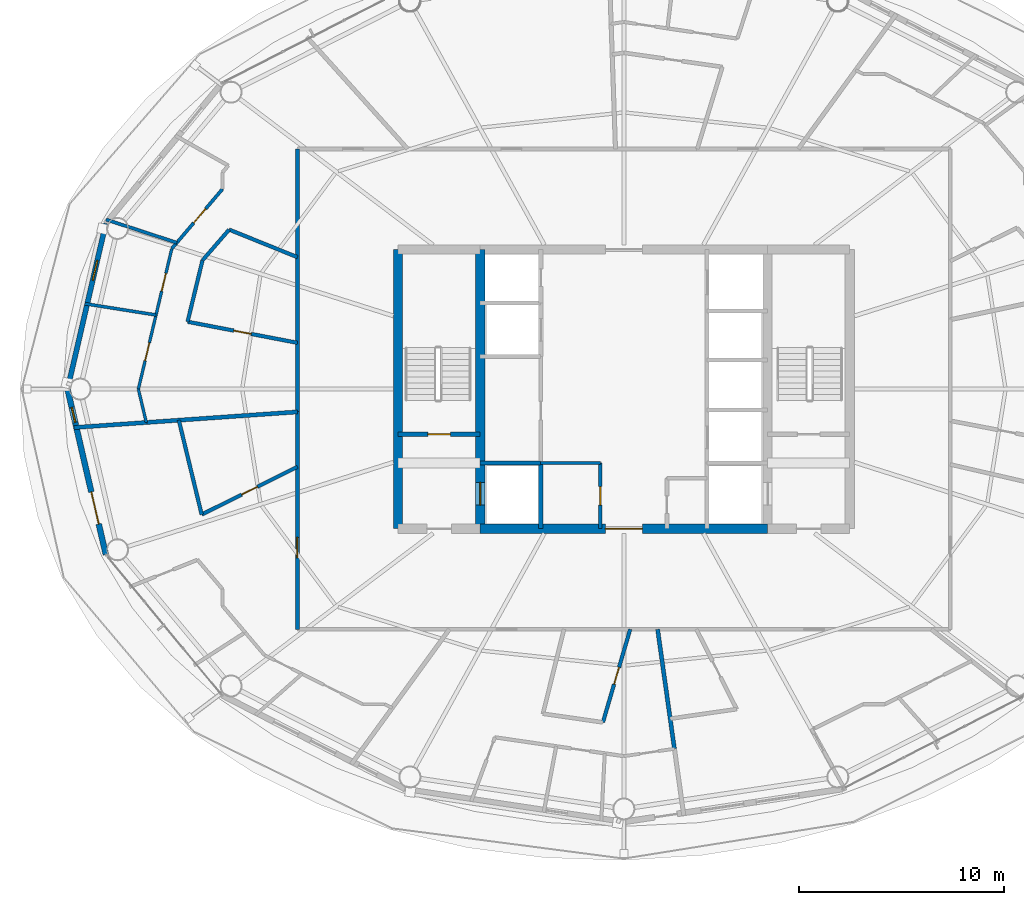
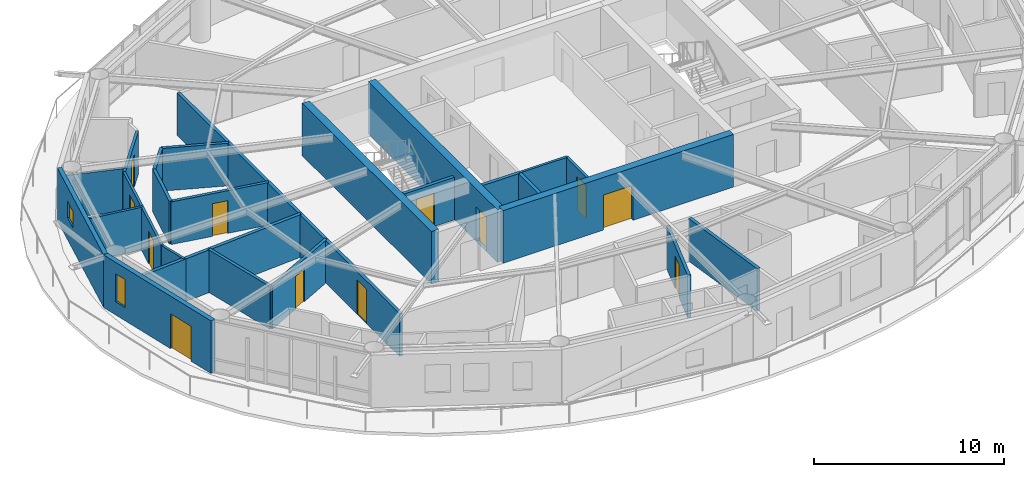
# One storey, part 21 of 30: 27 walls, 12 doors, 2 windows, 14 openings.
"""IFC4 building model written with IfcOpenShell, lengths in metres."""

import ifcopenshell
import ifcopenshell.guid

model = None  # the IFC model being written
_history = None  # IfcOwnerHistory: only IFC2X3 demands one
_inside = {}  # id of a spatial element -> (the spatial element, [elements in it])
_under = {}  # id of a project, library or spatial element -> (it, [spatial elements below it])
_declared = {}  # id of a project -> (the project, [libraries it declares])
_typed = {}  # id of a type object -> (the type object, [elements of that type])
_made_of = {}  # id of a material, layer set ... -> (it, [elements and type objects made of it])


def new_model(schema):
    """Start an empty IFC model of exactly this schema.

    Asked for "IFC4X3", IfcOpenShell would pick the latest addendum, in which some entities
    have other attributes; the version numbers below select the first issue.
    IFC2X3 requires an IfcOwnerHistory on every rooted entity: one is made here for all.
    """
    global model, _history
    if schema == "IFC4X3":
        model = ifcopenshell.file(schema_version=(4, 3, 0, 0))
    else:
        model = ifcopenshell.file(schema=schema)
    _inside.clear()
    _under.clear()
    _declared.clear()
    _typed.clear()
    _made_of.clear()
    _history = None
    if model.schema == "IFC2X3":
        org = make("IfcOrganization", Name="unknown")
        user = make(
            "IfcPersonAndOrganization",
            ThePerson=make("IfcPerson", FamilyName="unknown"),
            TheOrganization=org,
        )
        app = make(
            "IfcApplication",
            ApplicationDeveloper=org,
            Version="unknown",
            ApplicationFullName="unknown",
            ApplicationIdentifier="unknown",
        )
        _history = make(
            "IfcOwnerHistory",
            OwningUser=user,
            OwningApplication=app,
            ChangeAction="ADDED",
            CreationDate=0,
        )
    return model


def make(cls, **values):
    """One entity of the class cls with the attributes given. An attribute that is None is left unset."""
    return model.create_entity(
        cls, **{name: value for name, value in values.items() if value is not None}
    )


def rooted(cls, **values):
    """An entity with a GlobalId (a new one), such as an element, a storey or a relation."""
    return make(cls, GlobalId=ifcopenshell.guid.new(), OwnerHistory=_history, **values)


def si_unit(unit_type, name, prefix=None):
    """IfcSIUnit, for example si_unit("LENGTHUNIT", "METRE", prefix="MILLI")."""
    return make("IfcSIUnit", UnitType=unit_type, Prefix=prefix, Name=name)


def assignment(units):
    """IfcUnitAssignment: the units of a project."""
    return None if units is None else make("IfcUnitAssignment", Units=units)


def point(xyz):
    """IfcCartesianPoint."""
    return None if xyz is None else make("IfcCartesianPoint", Coordinates=xyz)


def direction(xyz):
    """IfcDirection."""
    return None if xyz is None else make("IfcDirection", DirectionRatios=xyz)


def frame(location, z_axis=None, x_axis=None):
    """IfcAxis2Placement3D, a coordinate frame: its origin and axes. An axis left out is left unset."""
    return make(
        "IfcAxis2Placement3D",
        Location=point(location),
        Axis=direction(z_axis),
        RefDirection=direction(x_axis),
    )


def frame_2d(location, x_axis=None):
    """IfcAxis2Placement2D, a coordinate frame in the plane: its origin and x axis."""
    return make(
        "IfcAxis2Placement2D", Location=point(location), RefDirection=direction(x_axis)
    )


def origin():
    """The frame at (0, 0, 0) with its axes left unset."""
    return frame((0.0, 0.0, 0.0))


def place(relative_to, where):
    """IfcLocalPlacement: puts the frame where relative to a parent placement (None: the world)."""
    return make(
        "IfcLocalPlacement", PlacementRelTo=relative_to, RelativePlacement=where
    )


def context(
    kind, dimensions, precision=None, world=None, true_north=None, identifier=None
):
    """IfcGeometricRepresentationContext, for example the 3D "Model" context."""
    return make(
        "IfcGeometricRepresentationContext",
        ContextIdentifier=identifier,
        ContextType=kind,
        CoordinateSpaceDimension=dimensions,
        Precision=precision,
        WorldCoordinateSystem=world,
        TrueNorth=true_north,
    )


def subcontext(parent, identifier, kind, view, scale=None):
    """IfcGeometricRepresentationSubContext, for example "Body" below "Model"."""
    return make(
        "IfcGeometricRepresentationSubContext",
        ContextIdentifier=identifier,
        ContextType=kind,
        ParentContext=parent,
        TargetScale=scale,
        TargetView=view,
    )


def project(units=None, contexts=None):
    """IfcProject with its units and contexts."""
    return rooted(
        "IfcProject",
        Name="project",
        RepresentationContexts=contexts,
        UnitsInContext=assignment(units),
    )


def spatial(cls, under=None, at=None, **own):
    """A site, building, storey or space (cls), placed at a placement, below another one or the project."""
    s = rooted(cls, ObjectPlacement=at, **own)
    if under is not None:
        _under.setdefault(under.id(), (under, []))[1].append(s)
    return s


def profile(cls, at=None, kind="AREA", **sizes):
    """A parametric profile (cls). Its sizes go by their IFC names, for example OverallWidth=200.0."""
    return make(cls, ProfileType=kind, Position=at, **sizes)


def rectangle(**sizes):
    """IfcRectangleProfileDef."""
    return profile("IfcRectangleProfileDef", **sizes)


def extrude(swept, where, along, depth):
    """IfcExtrudedAreaSolid: the profile swept, set in the frame where, extruded along a direction by depth."""
    return make(
        "IfcExtrudedAreaSolid",
        SweptArea=swept,
        Position=where,
        ExtrudedDirection=direction(along),
        Depth=depth,
    )


def shape(context_of_items, identifier, shape_type, items):
    """IfcShapeRepresentation: the items that make up one representation, for example the "Body"."""
    return make(
        "IfcShapeRepresentation",
        ContextOfItems=context_of_items,
        RepresentationIdentifier=identifier,
        RepresentationType=shape_type,
        Items=items,
    )


def material(Name=None, Category=None):
    """IfcMaterial."""
    return make("IfcMaterial", Name=Name, Category=Category)


def layer(
    of_material, thickness, ventilated=None, Name=None, Category=None, Priority=None
):
    """IfcMaterialLayer: one layer of a wall or slab, of a material (None: an air gap)."""
    return make(
        "IfcMaterialLayer",
        Material=of_material,
        LayerThickness=thickness,
        IsVentilated=ventilated,
        Name=Name,
        Category=Category,
        Priority=Priority,
    )


def layer_set(layers, Name=None):
    """IfcMaterialLayerSet."""
    return make("IfcMaterialLayerSet", MaterialLayers=layers, LayerSetName=Name)


def made_of(thing, what):
    """Note that an element or type object is made of a material, layer set ...; save() writes the relation."""
    if what is not None:
        _made_of.setdefault(what.id(), (what, []))[1].append(thing)
    return thing


def type_object(cls, material=None, **own):
    """A type object (cls), such as IfcWallType, which elements share."""
    return made_of(rooted(cls, **own), material)


def element(
    cls,
    number,
    at=None,
    inside=None,
    cuts=None,
    type_object=None,
    material=None,
    context=None,
    identifier="Body",
    shape_type=None,
    held_by="IfcProductDefinitionShape",
    body=None,
    shapes=None,
    **own,
):
    """One element of the class cls, such as IfcWall. Its Tag is "e" and its number.

    at: its placement. inside: the storey or other place that contains it. cuts: it is an
    opening in that element (IfcRelVoidsElement). A single representation is given by context,
    identifier, shape_type and body (its items); several are given by shapes. held_by: the class
    of the entity that holds the representations. save() writes the other relations.
    """
    e = rooted(cls, Tag="e%d" % number, ObjectPlacement=at, **own)
    if body is not None:
        shapes = [shape(context, identifier, shape_type, body)]
    if shapes is not None:
        e.Representation = make(held_by, Representations=shapes)
    if inside is not None:
        _inside.setdefault(inside.id(), (inside, []))[1].append(e)
    if cuts is not None:
        rooted(
            "IfcRelVoidsElement", RelatingBuildingElement=cuts, RelatedOpeningElement=e
        )
    if type_object is not None:
        _typed.setdefault(type_object.id(), (type_object, []))[1].append(e)
    return made_of(e, material)


def fill(opening, filler):
    """IfcRelFillsElement: the door or window that sits in an opening."""
    return rooted(
        "IfcRelFillsElement",
        RelatingOpeningElement=opening,
        RelatedBuildingElement=filler,
    )


def aggregate(whole, parts):
    """IfcRelAggregates: a whole, such as a stair, and the parts it consists of."""
    return rooted("IfcRelAggregates", RelatingObject=whole, RelatedObjects=parts)


def save(model, path):
    """Write the relations noted so far, then the file.

    IfcRelAggregates (storeys below a building ...), IfcRelContainedInSpatialStructure (elements
    in a storey), IfcRelDefinesByType, IfcRelAssociatesMaterial and IfcRelDeclares: one each for
    every whole, place, type object, material and project.
    """
    for whole, parts in _under.values():
        aggregate(whole, parts)
    for where, things in _inside.values():
        rooted(
            "IfcRelContainedInSpatialStructure",
            RelatedElements=things,
            RelatingStructure=where,
        )
    for kind, things in _typed.values():
        rooted("IfcRelDefinesByType", RelatedObjects=things, RelatingType=kind)
    for what, things in _made_of.values():
        rooted("IfcRelAssociatesMaterial", RelatedObjects=things, RelatingMaterial=what)
    for by, libraries in _declared.values():
        rooted("IfcRelDeclares", RelatingContext=by, RelatedDefinitions=libraries)
    model.write(path)


model = new_model("IFC4")

# Units and contexts
model_context = context("Model", 3, precision=1e-05, world=origin(), true_north=direction((0.0, 1.0)))
body_context = subcontext(model_context, "Body", "Model", "MODEL_VIEW")
ifc_project = project(units=[si_unit("LENGTHUNIT", "METRE"), si_unit("AREAUNIT", "SQUARE_METRE"), si_unit("VOLUMEUNIT", "CUBIC_METRE"), si_unit("PLANEANGLEUNIT", "RADIAN"), si_unit("MASSUNIT", "GRAM", prefix="KILO")], contexts=[model_context])

# Site, building, storey
site_placement = place(None, origin())
site = spatial("IfcSite", under=ifc_project, at=site_placement, CompositionType="ELEMENT")
building_placement = place(site_placement, origin())
building = spatial("IfcBuilding", under=site, at=building_placement, Name="Sarneth Arch Tower", CompositionType="ELEMENT")
storey_placement = place(building_placement, frame((0.0, 0.0, 168.60009765625)))
storey = spatial("IfcBuildingStorey", under=building, at=storey_placement, Name="L42", CompositionType="ELEMENT", Elevation=168.60009765625)

# Wall, opening, door
ifc_material_1 = material(Name="Concrete C50/60", Category="concrete")
ifc_layer_1 = layer(ifc_material_1, 0.449951171875)
ifc_layer_set_1 = layer_set([ifc_layer_1], Name="Concrete C50/60")
wall_type_1 = type_object("IfcWallType", Name="WALL-CORE-450", PredefinedType="SHEAR", material=ifc_layer_set_1)
wall_1_placement = place(storey_placement, frame((41.0, 35.199951171875, 0.0), z_axis=(0.0, 0.0, 1.0), x_axis=(1.0, 0.0, 0.0)))
wall_1 = element("IfcWall", 1, at=wall_1_placement, inside=storey, type_object=wall_type_1, Name="L42 Core shear wall S-M", PredefinedType="SHEAR", context=body_context, shape_type="SweptSolid", body=[
    extrude(rectangle(XDim=14.0, YDim=0.449951171875, at=frame_2d((7.0, 0.0))), origin(), (0.0, 0.0, 1.0), 3.3798828125),
])
opening_1_placement = place(wall_1_placement, frame((6.10009765625, 0.0, 0.0)))
opening_1 = element("IfcOpeningElement", 2, at=opening_1_placement, cuts=wall_1, Name="Opening FD-01", PredefinedType="OPENING", context=body_context, shape_type="SweptSolid", body=[
    extrude(rectangle(XDim=1.800048828125, YDim=2.25, at=frame_2d((0.89990234375, 1.125))), frame((0.0, 0.23486328125, 0.0), z_axis=(0.0, -1.0, 0.0), x_axis=(1.0, 0.0, 0.0)), (0.0, 0.0, 1.0), 0.469970703125),
])
ifc_material_2 = material(Name="Galvanised Steel S275 fire door set", Category="steel")
door_type_1 = type_object("IfcDoorType", Name="DR-FD90-1800", OperationType="DOUBLE_DOOR_SINGLE_SWING", PredefinedType="DOOR", material=ifc_material_2)
door_1_placement = place(opening_1_placement, origin())
door_1 = element("IfcDoor", 3, at=door_1_placement, inside=storey, type_object=door_type_1, Name="L42 Central lift lobby south door", OperationType="DOUBLE_DOOR_SINGLE_SWING", OverallHeight=2.25, OverallWidth=1.800048828125, PredefinedType="DOOR", context=body_context, shape_type="SweptSolid", body=[
    extrude(rectangle(XDim=1.800048828125, YDim=2.25, at=frame_2d((0.89990234375, 1.125))), frame((0.0, 0.02490234375, 0.0), z_axis=(0.0, -1.0, 0.0), x_axis=(1.0, 0.0, 0.0)), (0.0, 0.0, 1.0), 0.050048828125),
])
fill(opening_1, door_1)

# Wall
wall_2_placement = place(storey_placement, frame((37.0, 35.199951171875, 0.0), z_axis=(0.0, 0.0, 1.0), x_axis=(0.0, 1.0, 0.0)))
element("IfcWall", 4, at=wall_2_placement, inside=storey, type_object=wall_type_1, Name="L42 Core shear wall W", PredefinedType="SHEAR", context=body_context, shape_type="SweptSolid", body=[
    extrude(rectangle(XDim=13.60009765625, YDim=0.449951171875, at=frame_2d((6.800048828125, 0.0))), origin(), (0.0, 0.0, 1.0), 3.3798828125),
])

# Wall, opening, door
wall_3_placement = place(storey_placement, frame((41.0, 35.199951171875, 0.0), z_axis=(0.0, 0.0, 1.0), x_axis=(0.0, 1.0, 0.0)))
wall_3 = element("IfcWall", 5, at=wall_3_placement, inside=storey, type_object=wall_type_1, Name="L42 Core shear wall WEB-W", PredefinedType="SHEAR", context=body_context, shape_type="SweptSolid", body=[
    extrude(rectangle(XDim=13.60009765625, YDim=0.449951171875, at=frame_2d((6.800048828125, 0.0))), origin(), (0.0, 0.0, 1.0), 3.3798828125),
])
opening_2_placement = place(wall_3_placement, frame((1.14990234375, 0.0, 0.0)))
opening_2 = element("IfcOpeningElement", 6, at=opening_2_placement, cuts=wall_3, Name="Opening LD-1", PredefinedType="OPENING", context=body_context, shape_type="SweptSolid", body=[
    extrude(rectangle(XDim=1.10009765625, YDim=2.199951171875, at=frame_2d((0.550048828125, 1.10009765625))), frame((0.0, 0.23486328125, 0.0), z_axis=(0.0, -1.0, 0.0), x_axis=(1.0, 0.0, 0.0)), (0.0, 0.0, 1.0), 0.469970703125),
])
ifc_material_3 = material(Name="Brushed Stainless Steel 304 lift landing door", Category="steel")
door_type_2 = type_object("IfcDoorType", Name="DR-LIFT-SLIDE-1100", OperationType="SLIDING_TO_LEFT", PredefinedType="DOOR", material=ifc_material_3)
door_2_placement = place(opening_2_placement, origin())
door_2 = element("IfcDoor", 7, at=door_2_placement, inside=storey, type_object=door_type_2, Name="L42 Firefighting lift landing door FL-1", OperationType="SLIDING_TO_LEFT", OverallHeight=2.199951171875, OverallWidth=1.10009765625, PredefinedType="DOOR", context=body_context, shape_type="SweptSolid", body=[
    extrude(rectangle(XDim=1.10009765625, YDim=2.199951171875, at=frame_2d((0.550048828125, 1.10009765625))), frame((0.0, 0.02490234375, 0.0), z_axis=(0.0, -1.0, 0.0), x_axis=(1.0, 0.0, 0.0)), (0.0, 0.0, 1.0), 0.050048828125),
])
fill(opening_2, door_2)

ifc_material_4 = material(Name="Double steel-stud corridor fire wall", Category="steel")
ifc_layer_2 = layer(ifc_material_4, 0.18994140625)
ifc_layer_set_2 = layer_set([ifc_layer_2], Name="Double steel-stud corridor fire wall")
wall_type_2 = type_object("IfcWallType", Name="WALL-CORR-190", PredefinedType="PARTITIONING", material=ifc_layer_set_2)
wall_4_placement = place(storey_placement, frame((32.10009765625, 30.300048828125, 0.0), z_axis=(0.0, 0.0, 1.0), x_axis=(0.0, 1.0, 0.0)))
wall_4 = element("IfcWall", 8, at=wall_4_placement, inside=storey, type_object=wall_type_2, Name="L42 Interior partition W-L42-TP-012", PredefinedType="PARTITIONING", context=body_context, shape_type="SweptSolid", body=[
    extrude(rectangle(XDim=10.620361328125, YDim=0.18994140625, at=frame_2d((5.31005859375, 0.0))), origin(), (0.0, 0.0, 1.0), 2.739990234375),
])
opening_3_placement = place(wall_4_placement, frame((3.474853515625, 0.0, 0.0)))
opening_3 = element("IfcOpeningElement", 9, at=opening_3_placement, cuts=wall_4, Name="Opening FD-08", PredefinedType="OPENING", context=body_context, shape_type="SweptSolid", body=[
    extrude(rectangle(XDim=1.0, YDim=2.199951171875, at=frame_2d((0.5, 1.10009765625))), frame((0.0, 0.10498046875, 0.0), z_axis=(0.0, -1.0, 0.0), x_axis=(1.0, 0.0, 0.0)), (0.0, 0.0, 1.0), 0.2099609375),
])
ifc_material_5 = material(Name="Hardwood timber acoustic fire door", Category="wood")
door_type_3 = type_object("IfcDoorType", Name="DR-FD60-1000", OperationType="SINGLE_SWING_LEFT", PredefinedType="DOOR", material=ifc_material_5)
door_3_placement = place(opening_3_placement, origin())
door_3 = element("IfcDoor", 10, at=door_3_placement, inside=storey, type_object=door_type_3, Name="L42 Interior door DR-L42-U5-ENT", OperationType="SINGLE_SWING_LEFT", OverallHeight=2.199951171875, OverallWidth=1.0, PredefinedType="DOOR", context=body_context, shape_type="SweptSolid", body=[
    extrude(rectangle(XDim=1.0, YDim=2.199951171875, at=frame_2d((0.5, 1.10009765625))), frame((0.0, 0.02490234375, 0.0), z_axis=(0.0, -1.0, 0.0), x_axis=(1.0, 0.0, 0.0)), (0.0, 0.0, 1.0), 0.050048828125),
])
fill(opening_3, door_3)

# Wall
wall_5_placement = place(storey_placement, frame((32.10009765625, 40.856201171875, 0.0), z_axis=(0.0, 0.0, 1.0), x_axis=(0.0, 1.0, 0.0)))
element("IfcWall", 11, at=wall_5_placement, inside=storey, type_object=wall_type_2, Name="L42 Interior partition W-L42-TP-008", PredefinedType="PARTITIONING", context=body_context, shape_type="SweptSolid", body=[
    extrude(rectangle(XDim=12.84375, YDim=0.18994140625, at=frame_2d((6.421875, 0.0))), origin(), (0.0, 0.0, 1.0), 2.739990234375),
])

# Wall, opening, window
ifc_material_6 = material(Name="Extruded terracotta rainscreen on Concrete C40/50 backing", Category="masonry")
ifc_layer_3 = layer(ifc_material_6, 0.25)
ifc_layer_set_3 = layer_set([ifc_layer_3], Name="Extruded terracotta rainscreen on Concrete C40/50 backing")
wall_type_3 = type_object("IfcWallType", Name="WALL-EXT-SPAND-250", PredefinedType="SOLIDWALL", material=ifc_layer_set_3)
wall_6_placement = place(storey_placement, frame((22.767578125, 50.06689453125, 0.0), z_axis=(0.0, 0.0, 1.0), x_axis=(-0.225473184558, -0.974249374157, 0.0)))
wall_6 = element("IfcWall", 12, at=wall_6_placement, inside=storey, type_object=wall_type_3, Name="L42 Terracotta perimeter wall 08", PredefinedType="SOLIDWALL", context=body_context, shape_type="SweptSolid", body=[
    extrude(rectangle(XDim=8.280029296875, YDim=0.25, at=frame_2d((4.14013671875, 0.0))), origin(), (0.0, 0.0, 1.0), 3.3798828125),
])
opening_4_placement = place(wall_6_placement, frame((1.844482421875, 0.0, 1.419921875)))
opening_4 = element("IfcOpeningElement", 13, at=opening_4_placement, cuts=wall_6, Name="Opening W-14", PredefinedType="OPENING", context=body_context, shape_type="SweptSolid", body=[
    extrude(rectangle(XDim=1.0, YDim=1.050048828125, at=frame_2d((0.5, 0.52490234375))), frame((0.0, 0.135009765625, 0.0), z_axis=(0.0, -1.0, 0.0), x_axis=(1.0, 0.0, 0.0)), (0.0, 0.0, 1.0), 0.27001953125),
])
ifc_material_7 = material(Name="Thermally broken Aluminium 6063-T6 and low-e laminated IGU", Category="aluminium")
window_type_1 = type_object("IfcWindowType", Name="WIN-TWR-1000x1050", PartitioningType="SINGLE_PANEL", PredefinedType="WINDOW", material=ifc_material_7)
window_1_placement = place(opening_4_placement, origin())
window_1 = element("IfcWindow", 14, at=window_1_placement, inside=storey, type_object=window_type_1, Name="L42 Dwelling bedroom window 03", OverallHeight=1.050048828125, OverallWidth=1.0, PartitioningType="SINGLE_PANEL", PredefinedType="WINDOW", context=body_context, shape_type="SweptSolid", body=[
    extrude(rectangle(XDim=1.0, YDim=1.050048828125, at=frame_2d((0.5, 0.52490234375))), frame((0.0, 0.030029296875, 0.0), z_axis=(0.0, -1.0, 0.0), x_axis=(1.0, 0.0, 0.0)), (0.0, 0.0, 1.0), 0.06005859375),
])
fill(opening_4, window_1)

# Wall, openings, door, window
ifc_material_8 = material(Name="Extruded terracotta rainscreen on Concrete C40/50 backing", Category="masonry")
ifc_layer_4 = layer(ifc_material_8, 0.280029296875)
ifc_layer_set_4 = layer_set([ifc_layer_4], Name="Extruded terracotta rainscreen on Concrete C40/50 backing")
wall_type_4 = type_object("IfcWallType", Name="WALL-EXT-TERRA-280", PredefinedType="SOLIDWALL", material=ifc_layer_set_4)
wall_7_placement = place(storey_placement, frame((20.900634765625, 42.0, 0.0), z_axis=(0.0, 0.0, 1.0), x_axis=(0.225473184558, -0.974249374157, 0.0)))
wall_7 = element("IfcWall", 15, at=wall_7_placement, inside=storey, type_object=wall_type_4, Name="L42 Terracotta perimeter wall 09", PredefinedType="SOLIDWALL", context=body_context, shape_type="SweptSolid", body=[
    extrude(rectangle(XDim=8.280029296875, YDim=0.280029296875, at=frame_2d((4.14013671875, 0.0))), origin(), (0.0, 0.0, 1.0), 3.3798828125),
])
opening_5_placement = place(wall_7_placement, frame((5.143798828125, 0.0, 0.0)))
opening_5 = element("IfcOpeningElement", 16, at=opening_5_placement, cuts=wall_7, Name="Opening BD-1", PredefinedType="OPENING", context=body_context, shape_type="SweptSolid", body=[
    extrude(rectangle(XDim=1.60009765625, YDim=2.25, at=frame_2d((0.800048828125, 1.125))), frame((0.0, 0.14990234375, 0.0), z_axis=(0.0, -1.0, 0.0), x_axis=(1.0, 0.0, 0.0)), (0.0, 0.0, 1.0), 0.300048828125),
])
opening_6_placement = place(wall_7_placement, frame((0.918212890625, 0.0, 0.85009765625)))
opening_6 = element("IfcOpeningElement", 17, at=opening_6_placement, cuts=wall_7, Name="Opening W-13", PredefinedType="OPENING", context=body_context, shape_type="SweptSolid", body=[
    extrude(rectangle(XDim=0.75, YDim=1.800048828125, at=frame_2d((0.375, 0.89990234375))), frame((0.0, 0.14990234375, 0.0), z_axis=(0.0, -1.0, 0.0), x_axis=(1.0, 0.0, 0.0)), (0.0, 0.0, 1.0), 0.300048828125),
])
ifc_material_9 = material(Name="Thermally broken Aluminium 6063-T6 and laminated safety glass", Category="aluminium")
door_type_4 = type_object("IfcDoorType", Name="DR-BALC-GLZ-1600", OperationType="DOUBLE_DOOR_SINGLE_SWING", PredefinedType="DOOR", material=ifc_material_9)
door_4_placement = place(opening_5_placement, origin())
door_4 = element("IfcDoor", 18, at=door_4_placement, inside=storey, type_object=door_type_4, Name="L42 Balcony glazed door 09", OperationType="DOUBLE_DOOR_SINGLE_SWING", OverallHeight=2.25, OverallWidth=1.60009765625, PredefinedType="DOOR", context=body_context, shape_type="SweptSolid", body=[
    extrude(rectangle(XDim=1.60009765625, YDim=2.25, at=frame_2d((0.800048828125, 1.125))), frame((0.0, 0.02490234375, 0.0), z_axis=(0.0, -1.0, 0.0), x_axis=(1.0, 0.0, 0.0)), (0.0, 0.0, 1.0), 0.050048828125),
])
fill(opening_5, door_4)
ifc_material_10 = material(Name="Thermally broken Aluminium 6063-T6 and low-e laminated IGU", Category="aluminium")
window_type_2 = type_object("IfcWindowType", Name="WIN-TWR-750x1800", PartitioningType="SINGLE_PANEL", PredefinedType="WINDOW", material=ifc_material_10)
window_2_placement = place(opening_6_placement, origin())
window_2 = element("IfcWindow", 19, at=window_2_placement, inside=storey, type_object=window_type_2, Name="L42 Dwelling bedroom window 04", OverallHeight=1.800048828125, OverallWidth=0.75, PartitioningType="SINGLE_PANEL", PredefinedType="WINDOW", context=body_context, shape_type="SweptSolid", body=[
    extrude(rectangle(XDim=0.75, YDim=1.800048828125, at=frame_2d((0.375, 0.89990234375))), frame((0.0, 0.030029296875, 0.0), z_axis=(0.0, -1.0, 0.0), x_axis=(1.0, 0.0, 0.0)), (0.0, 0.0, 1.0), 0.06005859375),
])
fill(opening_6, window_2)

# Wall, openings, doors
ifc_material_11 = material(Name="Apartment internal stud partition", Category="gypsum")
ifc_layer_5 = layer(ifc_material_11, 0.139892578125)
ifc_layer_set_5 = layer_set([ifc_layer_5], Name="Apartment internal stud partition")
wall_type_5 = type_object("IfcWallType", Name="WALL-PART-140", PredefinedType="PARTITIONING", material=ifc_layer_set_5)
wall_8_placement = place(storey_placement, frame((24.351318359375, 42.0, 0.0), z_axis=(0.0, 0.0, 1.0), x_axis=(0.231625219966, 0.972805097373, 0.0)))
wall_8 = element("IfcWall", 20, at=wall_8_placement, inside=storey, type_object=wall_type_5, Name="L42 Interior partition W-L42-TP-064", PredefinedType="PARTITIONING", context=body_context, shape_type="SweptSolid", body=[
    extrude(rectangle(XDim=7.033447265625, YDim=0.139892578125, at=frame_2d((3.5166015625, 0.0))), origin(), (0.0, 0.0, 1.0), 2.739990234375),
])
opening_7_placement = place(wall_8_placement, frame((1.421142578125, 0.0, 0.0)))
opening_7 = element("IfcOpeningElement", 21, at=opening_7_placement, cuts=wall_8, Name="Opening ID-01", PredefinedType="OPENING", context=body_context, shape_type="SweptSolid", body=[
    extrude(rectangle(XDim=0.89990234375, YDim=2.10009765625, at=frame_2d((0.449951171875, 1.050048828125))), frame((0.0, 0.079833984375, 0.0), z_axis=(0.0, -1.0, 0.0), x_axis=(1.0, 0.0, 0.0)), (0.0, 0.0, 1.0), 0.159912109375),
])
opening_8_placement = place(wall_8_placement, frame((4.906005859375, 0.0, 0.0)))
opening_8 = element("IfcOpeningElement", 22, at=opening_8_placement, cuts=wall_8, Name="Opening ID-01", PredefinedType="OPENING", context=body_context, shape_type="SweptSolid", body=[
    extrude(rectangle(XDim=0.89990234375, YDim=2.10009765625, at=frame_2d((0.449951171875, 1.050048828125))), frame((0.0, 0.079833984375, 0.0), z_axis=(0.0, -1.0, 0.0), x_axis=(1.0, 0.0, 0.0)), (0.0, 0.0, 1.0), 0.159912109375),
])
ifc_material_12 = material(Name="Engineered hardwood flush door", Category="wood")
door_type_5 = type_object("IfcDoorType", Name="DR-INT-900", OperationType="SINGLE_SWING_LEFT", PredefinedType="DOOR", material=ifc_material_12)
door_5_placement = place(opening_7_placement, origin())
door_5 = element("IfcDoor", 23, at=door_5_placement, inside=storey, type_object=door_type_5, Name="L42 Interior door DR-L42-U4-BED2", OperationType="SINGLE_SWING_LEFT", OverallHeight=2.10009765625, OverallWidth=0.89990234375, PredefinedType="DOOR", context=body_context, shape_type="SweptSolid", body=[
    extrude(rectangle(XDim=0.89990234375, YDim=2.10009765625, at=frame_2d((0.449951171875, 1.050048828125))), frame((0.0, 0.02490234375, 0.0), z_axis=(0.0, -1.0, 0.0), x_axis=(1.0, 0.0, 0.0)), (0.0, 0.0, 1.0), 0.050048828125),
])
fill(opening_7, door_5)
door_6_placement = place(opening_8_placement, origin())
door_6 = element("IfcDoor", 24, at=door_6_placement, inside=storey, type_object=door_type_5, Name="L42 Interior door DR-L42-U4-BED1", OperationType="SINGLE_SWING_LEFT", OverallHeight=2.10009765625, OverallWidth=0.89990234375, PredefinedType="DOOR", context=body_context, shape_type="SweptSolid", body=[
    extrude(rectangle(XDim=0.89990234375, YDim=2.10009765625, at=frame_2d((0.449951171875, 1.050048828125))), frame((0.0, 0.02490234375, 0.0), z_axis=(0.0, -1.0, 0.0), x_axis=(1.0, 0.0, 0.0)), (0.0, 0.0, 1.0), 0.050048828125),
])
fill(opening_8, door_6)

# Walls
wall_9_placement = place(storey_placement, frame((24.738525390625, 40.373291015625, 0.0), z_axis=(0.0, 0.0, 1.0), x_axis=(-0.231561310927, 0.972820311919, 0.0)))
element("IfcWall", 25, at=wall_9_placement, inside=storey, type_object=wall_type_5, Name="L42 Interior partition W-L42-TP-063", PredefinedType="PARTITIONING", context=body_context, shape_type="SweptSolid", body=[
    extrude(rectangle(XDim=1.672119140625, YDim=0.139892578125, at=frame_2d((0.8359375, 0.0))), origin(), (0.0, 0.0, 1.0), 2.739990234375),
])
ifc_material_13 = material(Name="Acoustic gypsum stud partition", Category="gypsum")
ifc_layer_6 = layer(ifc_material_13, 0.14990234375)
ifc_layer_set_6 = layer_set([ifc_layer_6], Name="Acoustic gypsum stud partition")
wall_type_6 = type_object("IfcWallType", Name="WALL-PART-150", PredefinedType="PARTITIONING", material=ifc_layer_set_6)
wall_10_placement = place(storey_placement, frame((43.949951171875, 38.39990234375, 0.0), z_axis=(0.0, 0.0, 1.0), x_axis=(1.0, 0.0, 0.0)))
element("IfcWall", 26, at=wall_10_placement, inside=storey, type_object=wall_type_6, Name="L42 Interior partition W-L42-CSUP1-N", PredefinedType="PARTITIONING", context=body_context, shape_type="SweptSolid", body=[
    extrude(rectangle(XDim=2.900146484375, YDim=0.14990234375, at=frame_2d((1.4501953125, 0.0))), origin(), (0.0, 0.0, 1.0), 2.739990234375),
])

# Wall, opening, door
wall_11_placement = place(storey_placement, frame((46.85009765625, 35.199951171875, 0.0), z_axis=(0.0, 0.0, 1.0), x_axis=(0.0, 1.0, 0.0)))
wall_11 = element("IfcWall", 27, at=wall_11_placement, inside=storey, type_object=wall_type_6, Name="L42 Interior partition W-L42-CSUP1-E", PredefinedType="PARTITIONING", context=body_context, shape_type="SweptSolid", body=[
    extrude(rectangle(XDim=3.199951171875, YDim=0.14990234375, at=frame_2d((1.60009765625, 0.0))), origin(), (0.0, 0.0, 1.0), 2.739990234375),
])
opening_9_placement = place(wall_11_placement, frame((1.14990234375, 0.0, 0.0)))
opening_9 = element("IfcOpeningElement", 28, at=opening_9_placement, cuts=wall_11, Name="Opening FD-10", PredefinedType="OPENING", context=body_context, shape_type="SweptSolid", body=[
    extrude(rectangle(XDim=0.89990234375, YDim=2.14990234375, at=frame_2d((0.449951171875, 1.074951171875))), frame((0.0, 0.0849609375, 0.0), z_axis=(0.0, -1.0, 0.0), x_axis=(1.0, 0.0, 0.0)), (0.0, 0.0, 1.0), 0.169921875),
])
ifc_material_14 = material(Name="Galvanised Steel S275 riser/service fire door", Category="steel")
door_type_6 = type_object("IfcDoorType", Name="DR-FD60-900", OperationType="SINGLE_SWING_LEFT", PredefinedType="DOOR", material=ifc_material_14)
door_7_placement = place(opening_9_placement, origin())
door_7 = element("IfcDoor", 29, at=door_7_placement, inside=storey, type_object=door_type_6, Name="L42 Interior door DR-L42-CSUP1", OperationType="SINGLE_SWING_LEFT", OverallHeight=2.14990234375, OverallWidth=0.89990234375, PredefinedType="DOOR", context=body_context, shape_type="SweptSolid", body=[
    extrude(rectangle(XDim=0.89990234375, YDim=2.14990234375, at=frame_2d((0.449951171875, 1.074951171875))), frame((0.0, 0.02490234375, 0.0), z_axis=(0.0, -1.0, 0.0), x_axis=(1.0, 0.0, 0.0)), (0.0, 0.0, 1.0), 0.050048828125),
])
fill(opening_9, door_7)

# Walls
wall_12_placement = place(storey_placement, frame((25.210693359375, 45.609619140625, 0.0), z_axis=(0.0, 0.0, 1.0), x_axis=(-0.987691308322, 0.156415726399, 0.0)))
element("IfcWall", 30, at=wall_12_placement, inside=storey, type_object=wall_type_6, Name="L42 Interior partition W-L42-TP-068", PredefinedType="PARTITIONING", context=body_context, shape_type="SweptSolid", body=[
    extrude(rectangle(XDim=3.513427734375, YDim=0.14990234375, at=frame_2d((1.7568359375, 0.0))), origin(), (0.0, 0.0, 1.0), 2.739990234375),
])
ifc_material_15 = material(Name="Kitchen wet service chase wall", Category="gypsum")
ifc_layer_7 = layer(ifc_material_15, 0.159912109375)
ifc_layer_set_7 = layer_set([ifc_layer_7], Name="Kitchen wet service chase wall")
wall_type_7 = type_object("IfcWallType", Name="WALL-PLUMB-160", PredefinedType="PLUMBINGWALL", material=ifc_layer_set_7)
wall_13_placement = place(storey_placement, frame((22.77978515625, 50.256591796875, 0.0), z_axis=(0.0, 0.0, 1.0), x_axis=(0.95036707557, -0.311130875474, 0.0)))
element("IfcWall", 31, at=wall_13_placement, inside=storey, type_object=wall_type_7, Name="L42 Interior partition W-L42-TP-067", PredefinedType="PLUMBINGWALL", context=body_context, shape_type="SweptSolid", body=[
    extrude(rectangle(XDim=3.62451171875, YDim=0.159912109375, at=frame_2d((1.812255859375, 0.0))), origin(), (0.0, 0.0, 1.0), 2.739990234375),
])

# Wall, opening, door
wall_14_placement = place(storey_placement, frame((28.449951171875, 51.744384765625, 0.0), z_axis=(0.0, 0.0, 1.0), x_axis=(-0.648022171798, -0.761621470849, 0.0)))
wall_14 = element("IfcWall", 32, at=wall_14_placement, inside=storey, type_object=wall_type_7, Name="L42 Interior partition W-L42-TP-056", PredefinedType="PLUMBINGWALL", context=body_context, shape_type="SweptSolid", body=[
    extrude(rectangle(XDim=3.810302734375, YDim=0.159912109375, at=frame_2d((1.9052734375, 0.0))), origin(), (0.0, 0.0, 1.0), 2.739990234375),
])
opening_10_placement = place(wall_14_placement, frame((1.26708984375, 0.0, 0.0)))
opening_10 = element("IfcOpeningElement", 33, at=opening_10_placement, cuts=wall_14, Name="Opening ID-01", PredefinedType="OPENING", context=body_context, shape_type="SweptSolid", body=[
    extrude(rectangle(XDim=0.89990234375, YDim=2.10009765625, at=frame_2d((0.449951171875, 1.050048828125))), frame((0.0, 0.08984375, 0.0), z_axis=(0.0, -1.0, 0.0), x_axis=(1.0, 0.0, 0.0)), (0.0, 0.0, 1.0), 0.179931640625),
])
door_8_placement = place(opening_10_placement, origin())
door_8 = element("IfcDoor", 34, at=door_8_placement, inside=storey, type_object=door_type_5, Name="L42 Interior door DR-L42-U4-KIT", OperationType="SINGLE_SWING_LEFT", OverallHeight=2.10009765625, OverallWidth=0.89990234375, PredefinedType="DOOR", context=body_context, shape_type="SweptSolid", body=[
    extrude(rectangle(XDim=0.89990234375, YDim=2.10009765625, at=frame_2d((0.449951171875, 1.050048828125))), frame((0.0, 0.02490234375, 0.0), z_axis=(0.0, -1.0, 0.0), x_axis=(1.0, 0.0, 0.0)), (0.0, 0.0, 1.0), 0.050048828125),
])
fill(opening_10, door_8)

ifc_material_16 = material(Name="Moisture-resistant plumbing chase wall", Category="gypsum")
ifc_layer_8 = layer(ifc_material_16, 0.179931640625)
ifc_layer_set_8 = layer_set([ifc_layer_8], Name="Moisture-resistant plumbing chase wall")
wall_type_8 = type_object("IfcWallType", Name="WALL-PLUMB-180", PredefinedType="PLUMBINGWALL", material=ifc_layer_set_8)
wall_15_placement = place(storey_placement, frame((32.10009765625, 44.253173828125, 0.0), z_axis=(0.0, 0.0, 1.0), x_axis=(-0.982102846986, 0.188345421878, 0.0)))
wall_15 = element("IfcWall", 35, at=wall_15_placement, inside=storey, type_object=wall_type_8, Name="L42 Interior partition W-L42-TP-057", PredefinedType="PLUMBINGWALL", context=body_context, shape_type="SweptSolid", body=[
    extrude(rectangle(XDim=5.447998046875, YDim=0.179931640625, at=frame_2d((2.72412109375, 0.0))), origin(), (0.0, 0.0, 1.0), 2.739990234375),
])
opening_11_placement = place(wall_15_placement, frame((2.299072265625, 0.0, 0.0)))
opening_11 = element("IfcOpeningElement", 36, at=opening_11_placement, cuts=wall_15, Name="Opening ID-02", PredefinedType="OPENING", context=body_context, shape_type="SweptSolid", body=[
    extrude(rectangle(XDim=0.85009765625, YDim=2.10009765625, at=frame_2d((0.425048828125, 1.050048828125))), frame((0.0, 0.099853515625, 0.0), z_axis=(0.0, -1.0, 0.0), x_axis=(1.0, 0.0, 0.0)), (0.0, 0.0, 1.0), 0.199951171875),
])
ifc_material_17 = material(Name="Moisture-resistant bathroom timber door", Category="wood")
door_type_7 = type_object("IfcDoorType", Name="DR-INT-850", OperationType="SINGLE_SWING_RIGHT", PredefinedType="DOOR", material=ifc_material_17)
door_9_placement = place(opening_11_placement, origin())
door_9 = element("IfcDoor", 37, at=door_9_placement, inside=storey, type_object=door_type_7, Name="L42 Interior door DR-L42-U4-BATH", OperationType="SINGLE_SWING_LEFT", OverallHeight=2.10009765625, OverallWidth=0.85009765625, PredefinedType="DOOR", context=body_context, shape_type="SweptSolid", body=[
    extrude(rectangle(XDim=0.85009765625, YDim=2.10009765625, at=frame_2d((0.425048828125, 1.050048828125))), frame((0.0, 0.02490234375, 0.0), z_axis=(0.0, -1.0, 0.0), x_axis=(1.0, 0.0, 0.0)), (0.0, 0.0, 1.0), 0.050048828125),
])
fill(opening_11, door_9)

wall_16_placement = place(storey_placement, frame((27.43603515625, 35.887451171875, 0.0), z_axis=(0.0, 0.0, 1.0), x_axis=(0.894857716432, 0.446351506485, 0.0)))
wall_16 = element("IfcWall", 38, at=wall_16_placement, inside=storey, type_object=wall_type_8, Name="L42 Interior partition W-L42-TP-075", PredefinedType="PLUMBINGWALL", context=body_context, shape_type="SweptSolid", body=[
    extrude(rectangle(XDim=5.212158203125, YDim=0.179931640625, at=frame_2d((2.60595703125, 0.0))), origin(), (0.0, 0.0, 1.0), 2.739990234375),
])
opening_12_placement = place(wall_16_placement, frame((2.180908203125, 0.0, 0.0)))
opening_12 = element("IfcOpeningElement", 39, at=opening_12_placement, cuts=wall_16, Name="Opening ID-02", PredefinedType="OPENING", context=body_context, shape_type="SweptSolid", body=[
    extrude(rectangle(XDim=0.85009765625, YDim=2.10009765625, at=frame_2d((0.425048828125, 1.050048828125))), frame((0.0, 0.099853515625, 0.0), z_axis=(0.0, -1.0, 0.0), x_axis=(1.0, 0.0, 0.0)), (0.0, 0.0, 1.0), 0.199951171875),
])
door_10_placement = place(opening_12_placement, origin())
door_10 = element("IfcDoor", 40, at=door_10_placement, inside=storey, type_object=door_type_7, Name="L42 Interior door DR-L42-U5-BATH", OperationType="SINGLE_SWING_RIGHT", OverallHeight=2.10009765625, OverallWidth=0.85009765625, PredefinedType="DOOR", context=body_context, shape_type="SweptSolid", body=[
    extrude(rectangle(XDim=0.85009765625, YDim=2.10009765625, at=frame_2d((0.425048828125, 1.050048828125))), frame((0.0, 0.02490234375, 0.0), z_axis=(0.0, -1.0, 0.0), x_axis=(1.0, 0.0, 0.0)), (0.0, 0.0, 1.0), 0.050048828125),
])
fill(opening_12, door_10)

# Wall
wall_17_placement = place(storey_placement, frame((26.322265625, 40.484130859375, 0.0), z_axis=(0.0, 0.0, 1.0), x_axis=(0.235484788327, -0.971878034769, 0.0)))
element("IfcWall", 41, at=wall_17_placement, inside=storey, type_object=wall_type_8, Name="L42 Interior partition W-L42-TP-074", PredefinedType="PLUMBINGWALL", context=body_context, shape_type="SweptSolid", body=[
    extrude(rectangle(XDim=4.729736328125, YDim=0.179931640625, at=frame_2d((2.36474609375, 0.0))), origin(), (0.0, 0.0, 1.0), 2.739990234375),
])

# Wall, opening, door
wall_18_placement = place(storey_placement, frame((48.307861328125, 30.300048828125, 0.0), z_axis=(0.0, 0.0, 1.0), x_axis=(-0.281192482413, -0.9596513887, 0.0)))
wall_18 = element("IfcWall", 42, at=wall_18_placement, inside=storey, type_object=wall_type_8, Name="L42 Interior partition W-L42-TP-087", PredefinedType="PLUMBINGWALL", context=body_context, shape_type="SweptSolid", body=[
    extrude(rectangle(XDim=4.72412109375, YDim=0.179931640625, at=frame_2d((2.362060546875, 0.0))), origin(), (0.0, 0.0, 1.0), 2.739990234375),
])
opening_13_placement = place(wall_18_placement, frame((1.93701171875, 0.0, 0.0)))
opening_13 = element("IfcOpeningElement", 43, at=opening_13_placement, cuts=wall_18, Name="Opening ID-02", PredefinedType="OPENING", context=body_context, shape_type="SweptSolid", body=[
    extrude(rectangle(XDim=0.85009765625, YDim=2.10009765625, at=frame_2d((0.425048828125, 1.050048828125))), frame((0.0, 0.099853515625, 0.0), z_axis=(0.0, -1.0, 0.0), x_axis=(1.0, 0.0, 0.0)), (0.0, 0.0, 1.0), 0.199951171875),
])
door_11_placement = place(opening_13_placement, origin())
door_11 = element("IfcDoor", 44, at=door_11_placement, inside=storey, type_object=door_type_7, Name="L42 Interior door DR-L42-U6-BATH", OperationType="SINGLE_SWING_LEFT", OverallHeight=2.10009765625, OverallWidth=0.85009765625, PredefinedType="DOOR", context=body_context, shape_type="SweptSolid", body=[
    extrude(rectangle(XDim=0.85009765625, YDim=2.10009765625, at=frame_2d((0.425048828125, 1.050048828125))), frame((0.0, 0.02490234375, 0.0), z_axis=(0.0, -1.0, 0.0), x_axis=(1.0, 0.0, 0.0)), (0.0, 0.0, 1.0), 0.050048828125),
])
fill(opening_13, door_11)

# Walls
wall_19_placement = place(storey_placement, frame((28.772705078125, 49.768310546875, 0.0), z_axis=(0.0, 0.0, 1.0), x_axis=(0.927195040954, -0.374578904945, 0.0)))
element("IfcWall", 45, at=wall_19_placement, inside=storey, type_object=wall_type_8, Name="L42 Interior partition W-L42-TP-060", PredefinedType="PLUMBINGWALL", context=body_context, shape_type="SweptSolid", body=[
    extrude(rectangle(XDim=3.588623046875, YDim=0.179931640625, at=frame_2d((1.79443359375, 0.0))), origin(), (0.0, 0.0, 1.0), 2.739990234375),
])
wall_20_placement = place(storey_placement, frame((26.74951171875, 45.279296875, 0.0), z_axis=(0.0, 0.0, 1.0), x_axis=(0.235525049635, 0.971868278624, 0.0)))
element("IfcWall", 46, at=wall_20_placement, inside=storey, type_object=wall_type_8, Name="L42 Interior partition W-L42-TP-058", PredefinedType="PLUMBINGWALL", context=body_context, shape_type="SweptSolid", body=[
    extrude(rectangle(XDim=3.075439453125, YDim=0.179931640625, at=frame_2d((1.53759765625, 0.0))), origin(), (0.0, 0.0, 1.0), 2.739990234375),
])
wall_21_placement = place(storey_placement, frame((27.473876953125, 48.268310546875, 0.0), z_axis=(0.0, 0.0, 1.0), x_axis=(0.654593195673, 0.755981314702, 0.0)))
element("IfcWall", 47, at=wall_21_placement, inside=storey, type_object=wall_type_8, Name="L42 Interior partition W-L42-TP-059", PredefinedType="PLUMBINGWALL", context=body_context, shape_type="SweptSolid", body=[
    extrude(rectangle(XDim=1.984130859375, YDim=0.179931640625, at=frame_2d((0.9921875, 0.0))), origin(), (0.0, 0.0, 1.0), 2.739990234375),
])

# Wall, opening, door
ifc_material_18 = material(Name="Aerated concrete blockwork C25/30", Category="masonry")
ifc_layer_9 = layer(ifc_material_18, 0.199951171875)
ifc_layer_set_9 = layer_set([ifc_layer_9], Name="Aerated concrete blockwork C25/30")
wall_type_9 = type_object("IfcWallType", Name="WALL-SHAFT-200", PredefinedType="SOLIDWALL", material=ifc_layer_set_9)
wall_22_placement = place(storey_placement, frame((37.0, 39.800048828125, 0.0), z_axis=(0.0, 0.0, 1.0), x_axis=(1.0, 0.0, 0.0)))
wall_22 = element("IfcWall", 48, at=wall_22_placement, inside=storey, type_object=wall_type_9, Name="L42 Interior partition W-L42-ST1-S", PredefinedType="SOLIDWALL", context=body_context, shape_type="SweptSolid", body=[
    extrude(rectangle(XDim=4.0, YDim=0.199951171875, at=frame_2d((2.0, 0.0))), origin(), (0.0, 0.0, 1.0), 2.739990234375),
])
opening_14_placement = place(wall_22_placement, frame((1.449951171875, 0.0, 0.0)))
opening_14 = element("IfcOpeningElement", 49, at=opening_14_placement, cuts=wall_22, Name="Opening FD-03", PredefinedType="OPENING", context=body_context, shape_type="SweptSolid", body=[
    extrude(rectangle(XDim=1.10009765625, YDim=2.14990234375, at=frame_2d((0.550048828125, 1.074951171875))), frame((0.0, 0.10986328125, 0.0), z_axis=(0.0, -1.0, 0.0), x_axis=(1.0, 0.0, 0.0)), (0.0, 0.0, 1.0), 0.219970703125),
])
ifc_material_19 = material(Name="Galvanised Steel S275 fire door set", Category="steel")
door_type_8 = type_object("IfcDoorType", Name="DR-FD90-1100", OperationType="SINGLE_SWING_LEFT", PredefinedType="DOOR", material=ifc_material_19)
door_12_placement = place(opening_14_placement, origin())
door_12 = element("IfcDoor", 50, at=door_12_placement, inside=storey, type_object=door_type_8, Name="L42 Interior door DR-L42-ST1", OperationType="SINGLE_SWING_LEFT", OverallHeight=2.14990234375, OverallWidth=1.10009765625, PredefinedType="DOOR", context=body_context, shape_type="SweptSolid", body=[
    extrude(rectangle(XDim=1.10009765625, YDim=2.14990234375, at=frame_2d((0.550048828125, 1.074951171875))), frame((0.0, 0.02490234375, 0.0), z_axis=(0.0, -1.0, 0.0), x_axis=(1.0, 0.0, 0.0)), (0.0, 0.0, 1.0), 0.050048828125),
])
fill(opening_14, door_12)

# Walls
wall_23_placement = place(storey_placement, frame((43.949951171875, 35.199951171875, 0.0), z_axis=(0.0, 0.0, 1.0), x_axis=(0.0, 1.0, 0.0)))
element("IfcWall", 51, at=wall_23_placement, inside=storey, type_object=wall_type_9, Name="L42 Interior partition W-L42-FL1-E", PredefinedType="SOLIDWALL", context=body_context, shape_type="SweptSolid", body=[
    extrude(rectangle(XDim=3.199951171875, YDim=0.199951171875, at=frame_2d((1.60009765625, 0.0))), origin(), (0.0, 0.0, 1.0), 2.739990234375),
])
wall_24_placement = place(storey_placement, frame((41.0, 38.39990234375, 0.0), z_axis=(0.0, 0.0, 1.0), x_axis=(1.0, 0.0, 0.0)))
element("IfcWall", 52, at=wall_24_placement, inside=storey, type_object=wall_type_9, Name="L42 Interior partition W-L42-FL1-N", PredefinedType="SOLIDWALL", context=body_context, shape_type="SweptSolid", body=[
    extrude(rectangle(XDim=2.949951171875, YDim=0.199951171875, at=frame_2d((1.47509765625, 0.0))), origin(), (0.0, 0.0, 1.0), 2.739990234375),
])
ifc_material_20 = material(Name="Double steel-stud acoustic drywall", Category="steel")
ifc_layer_10 = layer(ifc_material_20, 0.199951171875)
ifc_layer_set_10 = layer_set([ifc_layer_10], Name="Double steel-stud acoustic drywall")
wall_type_10 = type_object("IfcWallType", Name="WALL-UNIT-200", PredefinedType="PARTITIONING", material=ifc_layer_set_10)
wall_25_placement = place(storey_placement, frame((32.10009765625, 40.88818359375, 0.0), z_axis=(0.0, 0.0, 1.0), x_axis=(-0.997562906323, -0.069772830877, 0.0)))
element("IfcWall", 53, at=wall_25_placement, inside=storey, type_object=wall_type_10, Name="L42 Interior partition W-L42-TP-066", PredefinedType="PARTITIONING", context=body_context, shape_type="SweptSolid", body=[
    extrude(rectangle(XDim=7.379638671875, YDim=0.199951171875, at=frame_2d((3.68994140625, 0.0))), origin(), (0.0, 0.0, 1.0), 2.739990234375),
])
wall_26_placement = place(storey_placement, frame((49.644287109375, 30.300048828125, 0.0), z_axis=(0.0, 0.0, 1.0), x_axis=(0.139158723068, -0.990270089316, 0.0)))
element("IfcWall", 54, at=wall_26_placement, inside=storey, type_object=wall_type_10, Name="L42 Interior partition W-L42-TP-094", PredefinedType="PARTITIONING", context=body_context, shape_type="SweptSolid", body=[
    extrude(rectangle(XDim=5.877197265625, YDim=0.199951171875, at=frame_2d((2.9384765625, 0.0))), origin(), (0.0, 0.0, 1.0), 2.739990234375),
])
wall_27_placement = place(storey_placement, frame((21.21240234375, 40.126708984375, 0.0), z_axis=(0.0, 0.0, 1.0), x_axis=(0.997565256009, 0.069739228586, 0.0)))
element("IfcWall", 55, at=wall_27_placement, inside=storey, type_object=wall_type_10, Name="L42 Interior partition W-L42-TP-069", PredefinedType="PARTITIONING", context=body_context, shape_type="SweptSolid", body=[
    extrude(rectangle(XDim=3.5673828125, YDim=0.199951171875, at=frame_2d((1.78369140625, 0.0))), origin(), (0.0, 0.0, 1.0), 2.739990234375),
])

save(model, "model.ifc")
